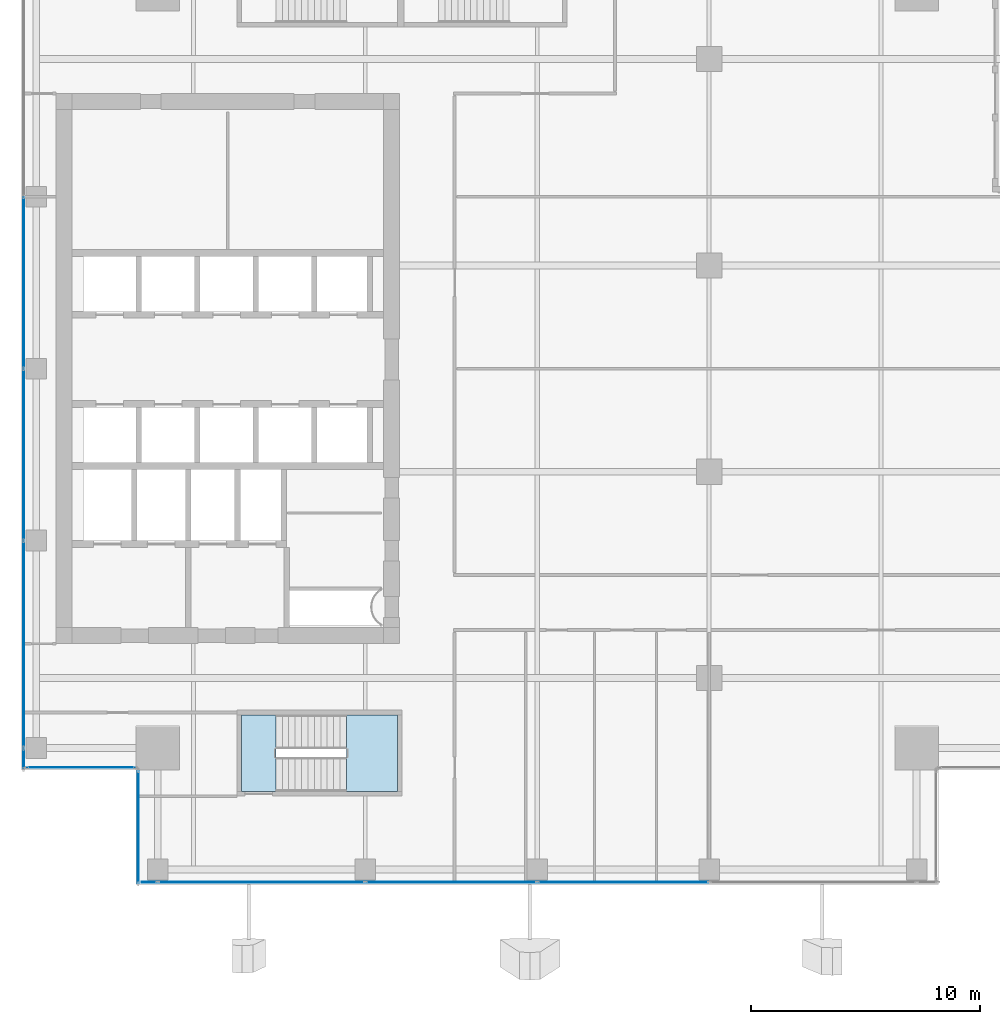
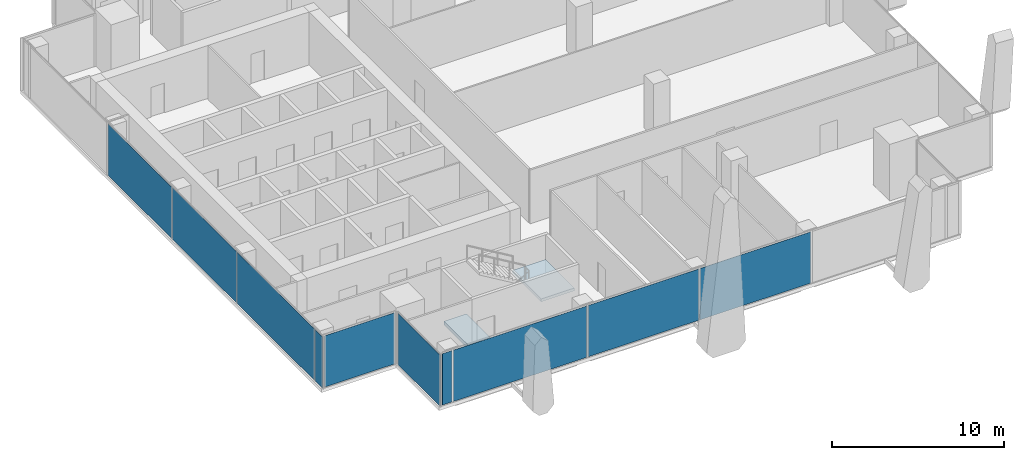
# One storey, part 25 of 35: 10 plates, 2 slabs, 5 elements without a shape of their own.
"""IFC4 building model written with IfcOpenShell, lengths in metres."""

from ifc_helpers import new_model, si_unit, direction, frame, origin, origin_2d, place, context, subcontext, project, spatial, polyline, rectangle, outline, extrude, source, transform, mapped, material, layer, layer_set, type_object, element, aggregate, save


model = new_model("IFC4")

# Units and contexts
model_context = context("Model", 3, precision=1e-05, world=origin(), true_north=direction((0.0, 1.0)))
body_context = subcontext(model_context, "Body", "Model", "MODEL_VIEW")
ifc_project = project(units=[si_unit("LENGTHUNIT", "METRE"), si_unit("AREAUNIT", "SQUARE_METRE"), si_unit("VOLUMEUNIT", "CUBIC_METRE"), si_unit("PLANEANGLEUNIT", "RADIAN"), si_unit("MASSUNIT", "GRAM", prefix="KILO")], contexts=[model_context])

# Site, building, storey
site_placement = place(None, origin())
site = spatial("IfcSite", under=ifc_project, at=site_placement, CompositionType="ELEMENT")
building_placement = place(site_placement, origin())
building = spatial("IfcBuilding", under=site, at=building_placement, Name="Khomas Fold Tower", CompositionType="ELEMENT")
storey_placement = place(building_placement, frame((0.0, 0.0, 250.199951171875)))
storey = spatial("IfcBuildingStorey", under=building, at=storey_placement, Name="L56", CompositionType="ELEMENT", Elevation=250.199951171875)

# Curtain wall, plates
ifc_material_1 = material(Name="Aluminium framed double glazing", Category="aluminium")
curtain_wall_type = type_object("IfcCurtainWallType", Name="SK-Unitised clear-glass wall, office floors CW2", PredefinedType="NOTDEFINED", material=ifc_material_1)
curtain_wall_1_placement = place(storey_placement, origin())
curtain_wall_1 = element("IfcCurtainWall", 1, at=curtain_wall_1_placement, inside=storey, type_object=curtain_wall_type, Name="CW2 run L56 00-0", PredefinedType="NOTDEFINED")
ifc_material_2 = material(Name="Clear double glazed unit")
ifc_layer_1 = layer(ifc_material_2, 0.030029296875)
ifc_layer_set_1 = layer_set([ifc_layer_1], Name="Clear double glazed unit")
plate_type = type_object("IfcPlateType", Name="SK-Unitised clear-glass wall, office floors glass panel CW2-P", PredefinedType="CURTAIN_PANEL", material=ifc_layer_set_1)
shared_shape_1 = source(origin(), body_context, "Body", "SweptSolid", [
    extrude(rectangle(XDim=0.659912109375, YDim=0.030029296875, at=origin_2d()), origin(), (0.0, 0.0, 1.0), 3.639892578125),
])
plate_1_placement = place(storey_placement, frame((10.090087890625, 4.60009765625, 0.0), z_axis=(0.0, 0.0, 1.0), x_axis=(1.0, 0.0, 0.0)))
plate_1 = element("IfcPlate", 2, at=plate_1_placement, type_object=plate_type, Name="CW2 glass panel 1", PredefinedType="CURTAIN_PANEL", context=body_context, shape_type="MappedRepresentation", body=[
    mapped(shared_shape_1, transform((0.0, 0.0, 0.0))),
])
shared_shape_2 = source(origin(), body_context, "Body", "SweptSolid", [
    extrude(rectangle(XDim=7.43994140625, YDim=0.030029296875, at=origin_2d()), origin(), (0.0, 0.0, 1.0), 3.639892578125),
])
plate_2_placement = place(storey_placement, frame((23.25, 4.60009765625, 0.0), z_axis=(0.0, 0.0, 1.0), x_axis=(1.0, 0.0, 0.0)))
plate_2 = element("IfcPlate", 3, at=plate_2_placement, type_object=plate_type, Name="CW2 glass panel 3", PredefinedType="CURTAIN_PANEL", context=body_context, shape_type="MappedRepresentation", body=[
    mapped(shared_shape_2, transform((0.0, 0.0, 0.0))),
])
plate_3_placement = place(storey_placement, frame((30.75, 4.60009765625, 0.0), z_axis=(0.0, 0.0, 1.0), x_axis=(1.0, 0.0, 0.0)))
plate_3 = element("IfcPlate", 4, at=plate_3_placement, type_object=plate_type, Name="CW2 glass panel 4", PredefinedType="CURTAIN_PANEL", context=body_context, shape_type="MappedRepresentation", body=[
    mapped(shared_shape_2, transform((0.0, 0.0, 0.0))),
])

curtain_wall_2_placement = place(storey_placement, origin())
curtain_wall_2 = element("IfcCurtainWall", 5, at=curtain_wall_2_placement, inside=storey, type_object=curtain_wall_type, Name="CW2 run L56 09-0", PredefinedType="NOTDEFINED")
plate_4_placement = place(storey_placement, frame((4.60009765625, 30.75, 0.0), z_axis=(0.0, 0.0, 1.0), x_axis=(0.0, -1.0, 0.0)))
plate_4 = element("IfcPlate", 6, at=plate_4_placement, type_object=plate_type, Name="CW2 glass panel 3", PredefinedType="CURTAIN_PANEL", context=body_context, shape_type="MappedRepresentation", body=[
    mapped(shared_shape_2, transform((0.0, 0.0, 0.0))),
])
plate_5_placement = place(storey_placement, frame((4.60009765625, 23.25, 0.0), z_axis=(0.0, 0.0, 1.0), x_axis=(0.0, -1.0, 0.0)))
plate_5 = element("IfcPlate", 7, at=plate_5_placement, type_object=plate_type, Name="CW2 glass panel 4", PredefinedType="CURTAIN_PANEL", context=body_context, shape_type="MappedRepresentation", body=[
    mapped(shared_shape_2, transform((0.0, 0.0, 0.0))),
])
shared_shape_3 = source(origin(), body_context, "Body", "SweptSolid", [
    extrude(rectangle(XDim=0.860107421875, YDim=0.030029296875, at=origin_2d()), origin(), (0.0, 0.0, 1.0), 3.639892578125),
])
plate_6_placement = place(storey_placement, frame((4.60009765625, 9.989990234375, 0.0), z_axis=(0.0, 0.0, 1.0), x_axis=(0.0, -1.0, 0.0)))
plate_6 = element("IfcPlate", 8, at=plate_6_placement, type_object=plate_type, Name="CW2 glass panel 6", PredefinedType="CURTAIN_PANEL", context=body_context, shape_type="MappedRepresentation", body=[
    mapped(shared_shape_3, transform((0.0, 0.0, 0.0))),
])

# Plate
shared_shape_4 = source(origin(), body_context, "Body", "SweptSolid", [
    extrude(rectangle(XDim=8.989990234375, YDim=0.030029296875, at=origin_2d()), origin(), (0.0, 0.0, 1.0), 3.639892578125),
])
plate_7_placement = place(storey_placement, frame((14.97509765625, 4.60009765625, 0.0), z_axis=(0.0, 0.0, 1.0), x_axis=(1.0, 0.0, 0.0)))
plate_7 = element("IfcPlate", 9, at=plate_7_placement, type_object=plate_type, Name="CW2 glass panel 2", PredefinedType="CURTAIN_PANEL", context=body_context, shape_type="MappedRepresentation", body=[
    mapped(shared_shape_4, transform((0.0, 0.0, 0.0))),
])

aggregate(curtain_wall_1, [plate_1, plate_7, plate_2, plate_3])

plate_8_placement = place(storey_placement, frame((4.60009765625, 14.97509765625, 0.0), z_axis=(0.0, 0.0, 1.0), x_axis=(0.0, -1.0, 0.0)))
plate_8 = element("IfcPlate", 10, at=plate_8_placement, type_object=plate_type, Name="CW2 glass panel 5", PredefinedType="CURTAIN_PANEL", context=body_context, shape_type="MappedRepresentation", body=[
    mapped(shared_shape_4, transform((0.0, 0.0, 0.0))),
])

aggregate(curtain_wall_2, [plate_4, plate_5, plate_8, plate_6])

# Curtain wall, plate
curtain_wall_3_placement = place(storey_placement, origin())
curtain_wall_3 = element("IfcCurtainWall", 11, at=curtain_wall_3_placement, inside=storey, type_object=curtain_wall_type, Name="CW2 corner return L56 10", PredefinedType="NOTDEFINED")
shared_shape_5 = source(origin(), body_context, "Body", "SweptSolid", [
    extrude(rectangle(XDim=4.679931640625, YDim=0.030029296875, at=origin_2d()), origin(), (0.0, 0.0, 1.0), 3.639892578125),
])
plate_9_placement = place(storey_placement, frame((7.10009765625, 9.60009765625, 0.0), z_axis=(0.0, 0.0, 1.0), x_axis=(1.0, 0.0, 0.0)))
plate_9 = element("IfcPlate", 12, at=plate_9_placement, type_object=plate_type, Name="CW2 glass panel 1", PredefinedType="CURTAIN_PANEL", context=body_context, shape_type="MappedRepresentation", body=[
    mapped(shared_shape_5, transform((0.0, 0.0, 0.0))),
])
aggregate(curtain_wall_3, [plate_9])

curtain_wall_4_placement = place(storey_placement, origin())
curtain_wall_4 = element("IfcCurtainWall", 13, at=curtain_wall_4_placement, inside=storey, type_object=curtain_wall_type, Name="CW2 corner return L56 11", PredefinedType="NOTDEFINED")
shared_shape_6 = source(origin(), body_context, "Body", "SweptSolid", [
    extrude(rectangle(XDim=4.8798828125, YDim=0.030029296875, at=origin_2d()), origin(), (0.0, 0.0, 1.0), 3.639892578125),
])
plate_10_placement = place(storey_placement, frame((9.60009765625, 7.0, 0.0), z_axis=(0.0, 0.0, 1.0), x_axis=(0.0, -1.0, 0.0)))
plate_10 = element("IfcPlate", 14, at=plate_10_placement, type_object=plate_type, Name="CW2 glass panel 1", PredefinedType="CURTAIN_PANEL", context=body_context, shape_type="MappedRepresentation", body=[
    mapped(shared_shape_6, transform((0.0, 0.0, 0.0))),
])
aggregate(curtain_wall_4, [plate_10])

# Stair, slab
ifc_material_3 = material(Name="Concrete C40/50", Category="concrete")
stair_type = type_object("IfcStairType", Name="Stair ST2", PredefinedType="HALF_TURN_STAIR", material=ifc_material_3)
stair_placement = place(storey_placement, origin())
stair = element("IfcStair", 15, at=stair_placement, inside=storey, type_object=stair_type, Name="L56 ST2", PredefinedType="HALF_TURN_STAIR")
ifc_material_4 = material(Name="Concrete C40/50", Category="concrete")
ifc_layer_2 = layer(ifc_material_4, 0.199951171875)
ifc_layer_set_2 = layer_set([ifc_layer_2], Name="Concrete C40/50")
slab_type_1 = type_object("IfcSlabType", Name="Stair landing 200", PredefinedType="LANDING", material=ifc_layer_set_2)
shared_shape_7 = source(origin(), body_context, "Body", "SweptSolid", [
    extrude(outline(polyline([(18.679931640625, 8.550048828125), (20.89990234375, 8.550048828125), (20.89990234375, 11.89990234375), (18.679931640625, 11.89990234375), (18.679931640625, 8.550048828125)])), origin(), (0.0, 0.0, 1.0), 0.199951171875),
])
slab_1_placement = place(storey_placement, frame((0.0, 0.0, 1.800048828125)))
slab_1 = element("IfcSlab", 16, at=slab_1_placement, type_object=slab_type_1, Name="ST2 landing 1", PredefinedType="LANDING", context=body_context, shape_type="MappedRepresentation", body=[
    mapped(shared_shape_7, transform((0.0, 0.0, 0.0))),
])
aggregate(stair, [slab_1])

# Slab
ifc_material_5 = material(Name="Concrete C40/50", Category="concrete")
ifc_layer_3 = layer(ifc_material_5, 0.25)
ifc_layer_set_3 = layer_set([ifc_layer_3], Name="Concrete C40/50")
slab_type_2 = type_object("IfcSlabType", Name="Stair floor landing 250", PredefinedType="LANDING", material=ifc_layer_set_3)
shared_shape_8 = source(origin(), body_context, "Body", "SweptSolid", [
    extrude(outline(polyline([(15.60009765625, 8.550048828125), (14.10009765625, 8.550048828125), (14.10009765625, 11.89990234375), (15.60009765625, 11.89990234375), (15.60009765625, 8.550048828125)])), origin(), (0.0, 0.0, 1.0), 0.25),
])
slab_2_placement = place(storey_placement, frame((0.0, 0.0, -0.25)))
element("IfcSlab", 17, at=slab_2_placement, inside=storey, type_object=slab_type_2, Name="ST2 floor landing", PredefinedType="LANDING", context=body_context, shape_type="MappedRepresentation", body=[
    mapped(shared_shape_8, transform((0.0, 0.0, 0.0))),
])

save(model, "model.ifc")
